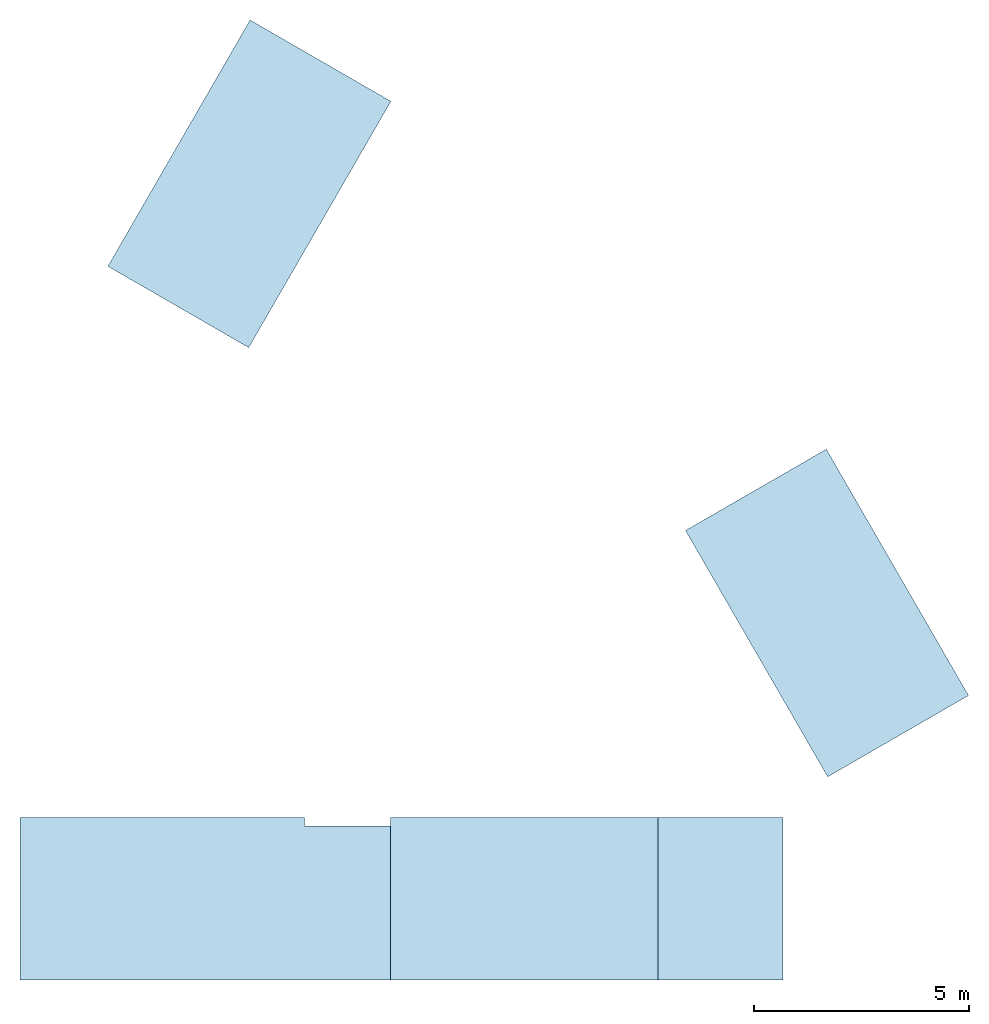
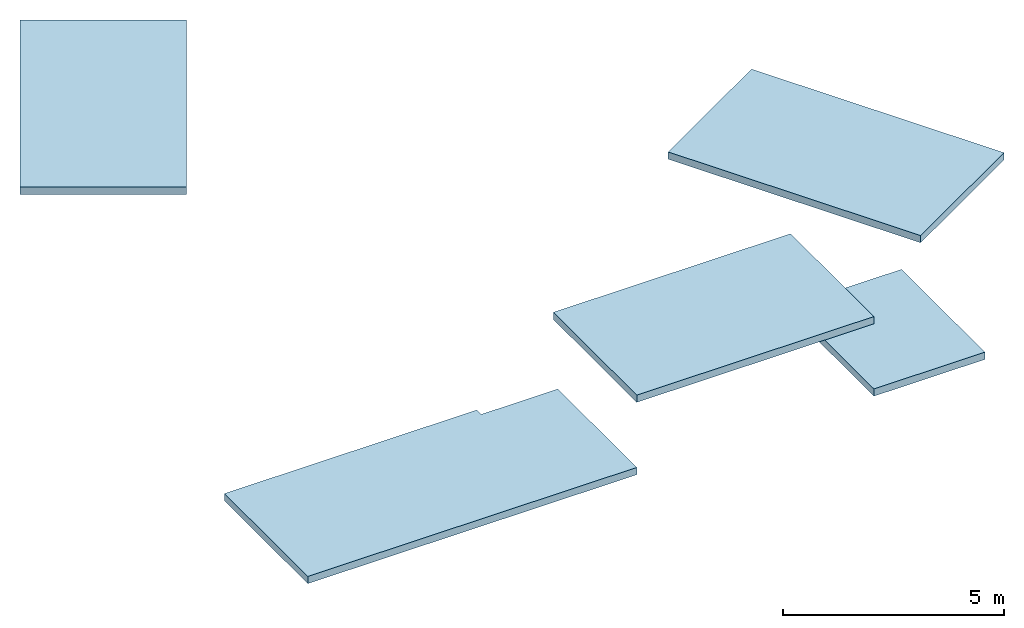
# One storey: 5 slabs.
"""IFC4 building model written with IfcOpenShell, lengths in metres."""

from ifc_helpers import new_model, si_unit, direction, frame, origin, place, context, subcontext, project, spatial, polyline, outline, extrude, material, layer, layer_set, type_object, element, save


model = new_model("IFC4")

# Units and contexts
model_context = context("Model", 3, precision=1e-05, world=origin(), true_north=direction((0.0, 1.0)))
body_context = subcontext(model_context, "Body", "Model", "MODEL_VIEW")
ifc_project = project(units=[si_unit("LENGTHUNIT", "METRE"), si_unit("AREAUNIT", "SQUARE_METRE"), si_unit("VOLUMEUNIT", "CUBIC_METRE"), si_unit("PLANEANGLEUNIT", "RADIAN"), si_unit("MASSUNIT", "GRAM", prefix="KILO")], contexts=[model_context])

# Site, building, storey
site_placement = place(None, origin())
site = spatial("IfcSite", under=ifc_project, at=site_placement, CompositionType="ELEMENT")
building_placement = place(site_placement, origin())
building = spatial("IfcBuilding", under=site, at=building_placement, Name="Trikona Tower", CompositionType="ELEMENT")
storey_placement = place(building_placement, frame((0.0, 0.0, 306.800048828125)))
storey = spatial("IfcBuildingStorey", under=building, at=storey_placement, Name="ROOF", CompositionType="ELEMENT", Elevation=306.800048828125)

# Slabs
ifc_material_1 = material(Name="Concrete f'c 5000 psi", Category="concrete")
ifc_layer_1 = layer(ifc_material_1, 0.199951171875)
ifc_layer_set_1 = layer_set([ifc_layer_1], Name="Lift penthouse roof slab 200")
slab_type_1 = type_object("IfcSlabType", Name="Lift penthouse roof slab 200", PredefinedType="ROOF", material=ifc_layer_set_1)
slab_1_placement = place(storey_placement, frame((0.0, 0.0, 1.800048828125)))
element("IfcSlab", 1, at=slab_1_placement, inside=storey, type_object=slab_type_1, Name="Lifts FF1 and FF2 overrun roof", PredefinedType="ROOF", context=body_context, shape_type="SweptSolid", body=[
    extrude(outline(polyline([(-0.550048828125, -5.851318359375), (5.64990234375, -5.851318359375), (5.64990234375, -9.626220703125), (-0.550048828125, -9.626220703125), (-0.550048828125, -5.851318359375)])), origin(), (0.0, 0.0, 1.0), 0.199951171875),
])
slab_2_placement = place(storey_placement, frame((0.0, 0.0, -0.199951171875)))
element("IfcSlab", 2, at=slab_2_placement, inside=storey, type_object=slab_type_1, Name="Lift FF2 roof lobby roof", PredefinedType="ROOF", context=body_context, shape_type="SweptSolid", body=[
    extrude(outline(polyline([(5.64990234375, -5.851318359375), (8.550048828125, -5.851318359375), (8.550048828125, -9.626220703125), (5.64990234375, -9.626220703125), (5.64990234375, -5.851318359375)])), origin(), (0.0, 0.0, 1.0), 0.199951171875),
])
ifc_material_2 = material(Name="Concrete f'c 5000 psi", Category="concrete")
ifc_layer_2 = layer(ifc_material_2, 0.199951171875)
ifc_layer_set_2 = layer_set([ifc_layer_2], Name="Stair penthouse roof slab 200")
slab_type_2 = type_object("IfcSlabType", Name="Stair penthouse roof slab 200", PredefinedType="ROOF", material=ifc_layer_set_2)
slab_3_placement = place(storey_placement, frame((0.0, 0.0, -0.199951171875)))
element("IfcSlab", 3, at=slab_3_placement, inside=storey, type_object=slab_type_2, Name="Stair A penthouse and roof lobby roof", PredefinedType="ROOF", context=body_context, shape_type="SweptSolid", body=[
    extrude(outline(polyline([(-9.14990234375, -5.851318359375), (-2.550048828125, -5.851318359375), (-2.550048828125, -6.05126953125), (-0.550048828125, -6.05126953125), (-0.550048828125, -9.626220703125), (-9.14990234375, -9.626220703125), (-9.14990234375, -5.851318359375)])), origin(), (0.0, 0.0, 1.0), 0.199951171875),
])
slab_4_placement = place(storey_placement, frame((0.0, 0.0, -0.199951171875)))
element("IfcSlab", 4, at=slab_4_placement, inside=storey, type_object=slab_type_2, Name="Stair B penthouse roof", PredefinedType="ROOF", context=body_context, shape_type="SweptSolid", body=[
    extrude(outline(polyline([(9.59228515625, -4.911865234375), (6.29248046875, 0.803955078125), (9.5615234375, 2.69140625), (12.861572265625, -3.0244140625), (9.59228515625, -4.911865234375)])), origin(), (0.0, 0.0, 1.0), 0.199951171875),
])
slab_5_placement = place(storey_placement, frame((0.0, 0.0, -0.199951171875)))
element("IfcSlab", 5, at=slab_5_placement, inside=storey, type_object=slab_type_2, Name="Stair C penthouse roof", PredefinedType="ROOF", context=body_context, shape_type="SweptSolid", body=[
    extrude(outline(polyline([(-0.54248046875, 10.76318359375), (-3.84228515625, 5.04736328125), (-7.111572265625, 6.934814453125), (-3.8115234375, 12.650634765625), (-0.54248046875, 10.76318359375)])), origin(), (0.0, 0.0, 1.0), 0.199951171875),
])

save(model, "model.ifc")
